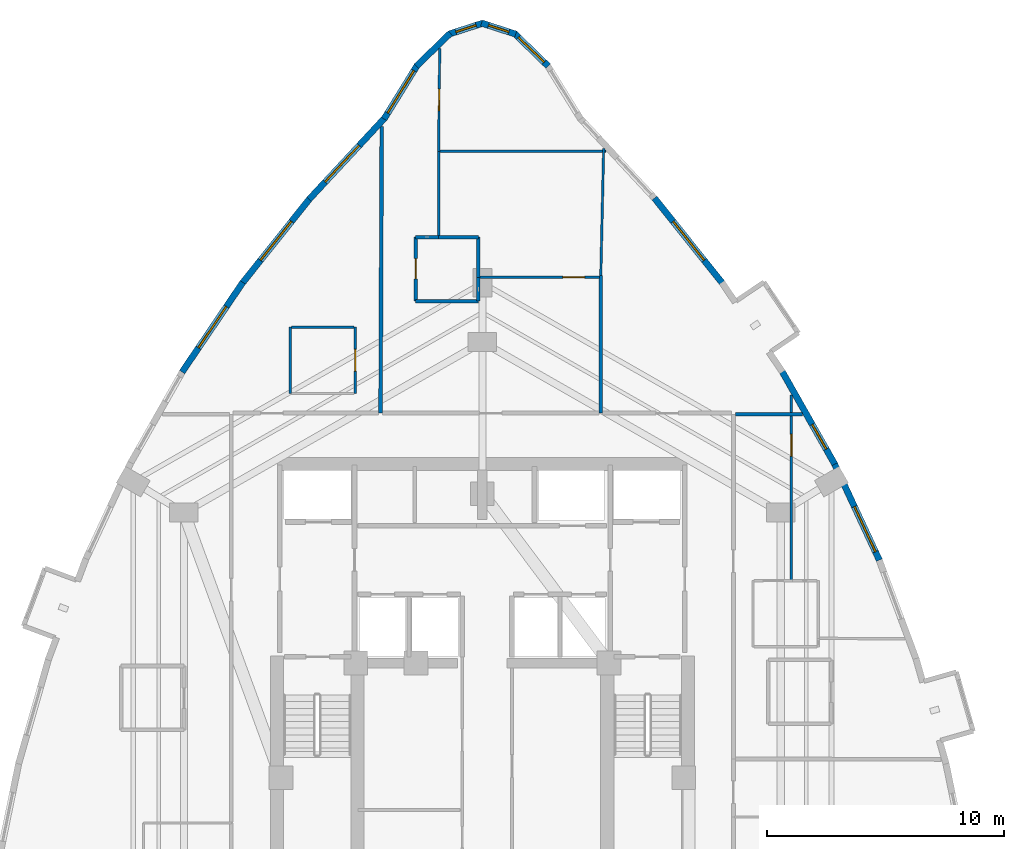
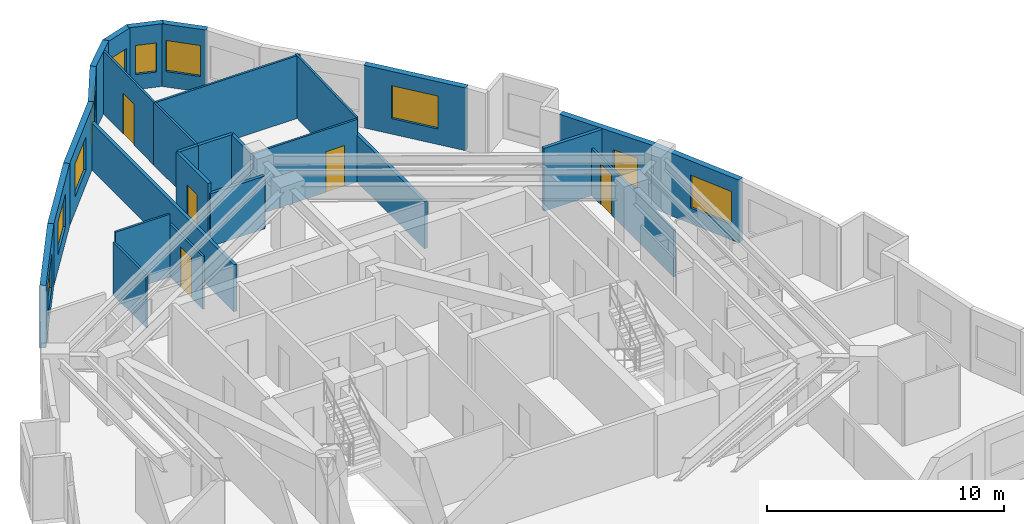
# One storey, part 8 of 10: 29 walls, 10 windows, 5 doors, 15 openings.
"""IFC4 building model written with IfcOpenShell, lengths in metres."""

from ifc_helpers import new_model, si_unit, direction, frame, frame_2d, origin, place, context, subcontext, project, spatial, rectangle, extrude, material, layer, layer_set, type_object, element, fill, save


model = new_model("IFC4")

# Units and contexts
model_context = context("Model", 3, precision=1e-05, world=origin(), true_north=direction((0.0, 1.0)))
body_context = subcontext(model_context, "Body", "Model", "MODEL_VIEW")
ifc_project = project(units=[si_unit("LENGTHUNIT", "METRE"), si_unit("AREAUNIT", "SQUARE_METRE"), si_unit("VOLUMEUNIT", "CUBIC_METRE"), si_unit("PLANEANGLEUNIT", "RADIAN"), si_unit("MASSUNIT", "GRAM", prefix="KILO")], contexts=[model_context])

# Site, building, storey
site_placement = place(None, origin())
site = spatial("IfcSite", under=ifc_project, at=site_placement, CompositionType="ELEMENT")
building_placement = place(site_placement, origin())
building = spatial("IfcBuilding", under=site, at=building_placement, Name="Miruveldt Soraemaru", CompositionType="ELEMENT")
storey_placement = place(building_placement, frame((0.0, 0.0, 121.39990234375)))
storey = spatial("IfcBuildingStorey", under=building, at=storey_placement, Name="L33", CompositionType="ELEMENT", Elevation=121.39990234375)

# Wall, opening, window
ifc_material_1 = material(Name="Precast concrete C45/55 (45 MPa)", Category="concrete")
ifc_layer_1 = layer(ifc_material_1, 0.27001953125, Name="Precast concrete C45/55 (45 MPa)", Category="concrete")
ifc_layer_set_1 = layer_set([ifc_layer_1], Name="Precast concrete C45/55 (45 MPa)")
wall_type_1 = type_object("IfcWallType", Name="WALL-EXT-PC270", PredefinedType="SOLIDWALL", material=ifc_layer_set_1)
wall_1_placement = place(storey_placement, frame((46.77978515625, 69.253173828125, 0.0), z_axis=(0.0, 0.0, 1.0), x_axis=(-0.717766525647, 0.696283860692, 0.0)))
wall_1 = element("IfcWall", 1, at=wall_1_placement, inside=storey, type_object=wall_type_1, Name="L33 Precast Concrete Facade Wall 2", PredefinedType="SOLIDWALL", context=body_context, shape_type="SweptSolid", body=[
    extrude(rectangle(XDim=1.98876953125, YDim=0.27001953125, at=frame_2d((0.994384765625, 0.0))), origin(), (0.0, 0.0, 1.0), 3.235107421875),
])
opening_1_placement = place(wall_1_placement, frame((0.243896484375, 0.0, 0.800048828125)))
opening_1 = element("IfcOpeningElement", 2, at=opening_1_placement, cuts=wall_1, Name="Opening WN-3", PredefinedType="OPENING", context=body_context, shape_type="SweptSolid", body=[
    extrude(rectangle(XDim=1.5, YDim=1.60009765625, at=frame_2d((0.75, 0.800048828125))), frame((0.0, 0.14501953125, 0.0), z_axis=(0.0, -1.0, 0.0), x_axis=(1.0, 0.0, 0.0)), (0.0, 0.0, 1.0), 0.2900390625),
])
ifc_material_2 = material(Name="Triple low-e insulated glazing", Category="glass")
window_type_1 = type_object("IfcWindowType", Name="WIN-PUNCH-1500x1600", PartitioningType="SINGLE_PANEL", PredefinedType="WINDOW", material=ifc_material_2)
window_1_placement = place(opening_1_placement, origin())
window_1 = element("IfcWindow", 3, at=window_1_placement, inside=storey, type_object=window_type_1, Name="L33 Punched Triple-Glazed Window 02.1", OverallHeight=1.60009765625, OverallWidth=1.5, PartitioningType="SINGLE_PANEL", PredefinedType="WINDOW", context=body_context, shape_type="SweptSolid", body=[
    extrude(rectangle(XDim=1.5, YDim=1.60009765625, at=frame_2d((0.75, 0.800048828125))), frame((0.0, 0.030029296875, 0.0), z_axis=(0.0, -1.0, 0.0), x_axis=(1.0, 0.0, 0.0)), (0.0, 0.0, 1.0), 0.06005859375),
])
fill(opening_1, window_1)

wall_2_placement = place(storey_placement, frame((45.41064453125, 70.602783203125, 0.0), z_axis=(0.0, 0.0, 1.0), x_axis=(-0.951508249715, 0.307623228518, 0.0)))
wall_2 = element("IfcWall", 4, at=wall_2_placement, inside=storey, type_object=wall_type_1, Name="L33 Precast Concrete Facade Wall 3", PredefinedType="SOLIDWALL", context=body_context, shape_type="SweptSolid", body=[
    extrude(rectangle(XDim=1.517333984375, YDim=0.27001953125, at=frame_2d((0.7587890625, 0.0))), origin(), (0.0, 0.0, 1.0), 3.235107421875),
])
opening_2_placement = place(wall_2_placement, frame((0.30908203125, 0.0, 0.780029296875)))
opening_2 = element("IfcOpeningElement", 5, at=opening_2_placement, cuts=wall_2, Name="Opening WN-7", PredefinedType="OPENING", context=body_context, shape_type="SweptSolid", body=[
    extrude(rectangle(XDim=0.89990234375, YDim=1.5, at=frame_2d((0.449951171875, 0.75))), frame((0.0, 0.14501953125, 0.0), z_axis=(0.0, -1.0, 0.0), x_axis=(1.0, 0.0, 0.0)), (0.0, 0.0, 1.0), 0.2900390625),
])
window_type_2 = type_object("IfcWindowType", Name="WIN-PUNCH-900x1500", PartitioningType="SINGLE_PANEL", PredefinedType="WINDOW", material=ifc_material_2)
window_2_placement = place(opening_2_placement, origin())
window_2 = element("IfcWindow", 6, at=window_2_placement, inside=storey, type_object=window_type_2, Name="L33 Punched Triple-Glazed Window 03.1", OverallHeight=1.5, OverallWidth=0.89990234375, PartitioningType="SINGLE_PANEL", PredefinedType="WINDOW", context=body_context, shape_type="SweptSolid", body=[
    extrude(rectangle(XDim=0.89990234375, YDim=1.5, at=frame_2d((0.449951171875, 0.75))), frame((0.0, 0.030029296875, 0.0), z_axis=(0.0, -1.0, 0.0), x_axis=(1.0, 0.0, 0.0)), (0.0, 0.0, 1.0), 0.06005859375),
])
fill(opening_2, window_2)

wall_3_placement = place(storey_placement, frame((44.033203125, 71.069580078125, 0.0), z_axis=(0.0, 0.0, 1.0), x_axis=(-0.951508249715, -0.307623228518, 0.0)))
wall_3 = element("IfcWall", 7, at=wall_3_placement, inside=storey, type_object=wall_type_1, Name="L33 Precast Concrete Facade Wall 4", PredefinedType="SOLIDWALL", context=body_context, shape_type="SweptSolid", body=[
    extrude(rectangle(XDim=1.517333984375, YDim=0.27001953125, at=frame_2d((0.7587890625, 0.0))), origin(), (0.0, 0.0, 1.0), 3.235107421875),
])
opening_3_placement = place(wall_3_placement, frame((0.30908203125, 0.0, 0.780029296875)))
opening_3 = element("IfcOpeningElement", 8, at=opening_3_placement, cuts=wall_3, Name="Opening WN-7", PredefinedType="OPENING", context=body_context, shape_type="SweptSolid", body=[
    extrude(rectangle(XDim=0.89990234375, YDim=1.5, at=frame_2d((0.449951171875, 0.75))), frame((0.0, 0.14501953125, 0.0), z_axis=(0.0, -1.0, 0.0), x_axis=(1.0, 0.0, 0.0)), (0.0, 0.0, 1.0), 0.2900390625),
])
window_3_placement = place(opening_3_placement, origin())
window_3 = element("IfcWindow", 9, at=window_3_placement, inside=storey, type_object=window_type_2, Name="L33 Punched Triple-Glazed Window 04.1", OverallHeight=1.5, OverallWidth=0.89990234375, PartitioningType="SINGLE_PANEL", PredefinedType="WINDOW", context=body_context, shape_type="SweptSolid", body=[
    extrude(rectangle(XDim=0.89990234375, YDim=1.5, at=frame_2d((0.449951171875, 0.75))), frame((0.0, 0.030029296875, 0.0), z_axis=(0.0, -1.0, 0.0), x_axis=(1.0, 0.0, 0.0)), (0.0, 0.0, 1.0), 0.06005859375),
])
fill(opening_3, window_3)

# Wall
wall_4_placement = place(storey_placement, frame((42.647705078125, 70.637939453125, 0.0), z_axis=(0.0, 0.0, 1.0), x_axis=(-0.717766525647, -0.696283860692, 0.0)))
element("IfcWall", 10, at=wall_4_placement, inside=storey, type_object=wall_type_1, Name="L33 Precast Concrete Facade Wall 5", PredefinedType="SOLIDWALL", context=body_context, shape_type="SweptSolid", body=[
    extrude(rectangle(XDim=1.98876953125, YDim=0.27001953125, at=frame_2d((0.994384765625, 0.0))), origin(), (0.0, 0.0, 1.0), 3.235107421875),
])

# Wall, opening, window
wall_5_placement = place(storey_placement, frame((41.263671875, 69.307373046875, 0.0), z_axis=(0.0, 0.0, 1.0), x_axis=(-0.526066967344, -0.850443146759, 0.0)))
wall_5 = element("IfcWall", 11, at=wall_5_placement, inside=storey, type_object=wall_type_1, Name="L33 Precast Concrete Facade Wall 6", PredefinedType="SOLIDWALL", context=body_context, shape_type="SweptSolid", body=[
    extrude(rectangle(XDim=2.6884765625, YDim=0.27001953125, at=frame_2d((1.34423828125, 0.0))), origin(), (0.0, 0.0, 1.0), 3.235107421875),
])
opening_4_placement = place(wall_5_placement, frame((0.2939453125, 0.0, 0.800048828125)))
opening_4 = element("IfcOpeningElement", 12, at=opening_4_placement, cuts=wall_5, Name="Opening WN-1", PredefinedType="OPENING", context=body_context, shape_type="SweptSolid", body=[
    extrude(rectangle(XDim=2.10009765625, YDim=1.699951171875, at=frame_2d((1.050048828125, 0.85009765625))), frame((0.0, 0.14501953125, 0.0), z_axis=(0.0, -1.0, 0.0), x_axis=(1.0, 0.0, 0.0)), (0.0, 0.0, 1.0), 0.2900390625),
])
window_type_3 = type_object("IfcWindowType", Name="WIN-PUNCH-2100x1700", PartitioningType="SINGLE_PANEL", PredefinedType="WINDOW", material=ifc_material_2)
window_4_placement = place(opening_4_placement, origin())
window_4 = element("IfcWindow", 13, at=window_4_placement, inside=storey, type_object=window_type_3, Name="L33 Punched Triple-Glazed Window 06.1", OverallHeight=1.699951171875, OverallWidth=2.10009765625, PartitioningType="SINGLE_PANEL", PredefinedType="WINDOW", context=body_context, shape_type="SweptSolid", body=[
    extrude(rectangle(XDim=2.10009765625, YDim=1.699951171875, at=frame_2d((1.050048828125, 0.85009765625))), frame((0.0, 0.030029296875, 0.0), z_axis=(0.0, -1.0, 0.0), x_axis=(1.0, 0.0, 0.0)), (0.0, 0.0, 1.0), 0.06005859375),
])
fill(opening_4, window_4)

wall_6_placement = place(storey_placement, frame((39.8916015625, 67.076416015625, 0.0), z_axis=(0.0, 0.0, 1.0), x_axis=(-0.680872527791, -0.732401939442, 0.0)))
wall_6 = element("IfcWall", 14, at=wall_6_placement, inside=storey, type_object=wall_type_1, Name="L33 Precast Concrete Facade Wall 7", PredefinedType="SOLIDWALL", context=body_context, shape_type="SweptSolid", body=[
    extrude(rectangle(XDim=4.70947265625, YDim=0.27001953125, at=frame_2d((2.354736328125, 0.0))), origin(), (0.0, 0.0, 1.0), 3.235107421875),
])
opening_5_placement = place(wall_6_placement, frame((1.60693359375, 0.0, 0.800048828125)))
opening_5 = element("IfcOpeningElement", 15, at=opening_5_placement, cuts=wall_6, Name="Opening WN-1", PredefinedType="OPENING", context=body_context, shape_type="SweptSolid", body=[
    extrude(rectangle(XDim=2.10009765625, YDim=1.699951171875, at=frame_2d((1.050048828125, 0.85009765625))), frame((0.0, 0.14501953125, 0.0), z_axis=(0.0, -1.0, 0.0), x_axis=(1.0, 0.0, 0.0)), (0.0, 0.0, 1.0), 0.2900390625),
])
window_5_placement = place(opening_5_placement, origin())
window_5 = element("IfcWindow", 16, at=window_5_placement, inside=storey, type_object=window_type_3, Name="L33 Punched Triple-Glazed Window 07.1", OverallHeight=1.699951171875, OverallWidth=2.10009765625, PartitioningType="SINGLE_PANEL", PredefinedType="WINDOW", context=body_context, shape_type="SweptSolid", body=[
    extrude(rectangle(XDim=2.10009765625, YDim=1.699951171875, at=frame_2d((1.050048828125, 0.85009765625))), frame((0.0, 0.030029296875, 0.0), z_axis=(0.0, -1.0, 0.0), x_axis=(1.0, 0.0, 0.0)), (0.0, 0.0, 1.0), 0.06005859375),
])
fill(opening_5, window_5)

wall_7_placement = place(storey_placement, frame((36.730712890625, 63.680419921875, 0.0), z_axis=(0.0, 0.0, 1.0), x_axis=(-0.62361968667, -0.781727885135, 0.0)))
wall_7 = element("IfcWall", 17, at=wall_7_placement, inside=storey, type_object=wall_type_1, Name="L33 Precast Concrete Facade Wall 8", PredefinedType="SOLIDWALL", context=body_context, shape_type="SweptSolid", body=[
    extrude(rectangle(XDim=4.626220703125, YDim=0.27001953125, at=frame_2d((2.31298828125, 0.0))), origin(), (0.0, 0.0, 1.0), 3.235107421875),
])
opening_6_placement = place(wall_7_placement, frame((1.262939453125, 0.0, 0.800048828125)))
opening_6 = element("IfcOpeningElement", 18, at=opening_6_placement, cuts=wall_7, Name="Opening WN-1", PredefinedType="OPENING", context=body_context, shape_type="SweptSolid", body=[
    extrude(rectangle(XDim=2.10009765625, YDim=1.699951171875, at=frame_2d((1.050048828125, 0.85009765625))), frame((0.0, 0.14501953125, 0.0), z_axis=(0.0, -1.0, 0.0), x_axis=(1.0, 0.0, 0.0)), (0.0, 0.0, 1.0), 0.2900390625),
])
window_6_placement = place(opening_6_placement, origin())
window_6 = element("IfcWindow", 19, at=window_6_placement, inside=storey, type_object=window_type_3, Name="L33 Punched Triple-Glazed Window 08.1", OverallHeight=1.699951171875, OverallWidth=2.10009765625, PartitioningType="SINGLE_PANEL", PredefinedType="WINDOW", context=body_context, shape_type="SweptSolid", body=[
    extrude(rectangle(XDim=2.10009765625, YDim=1.699951171875, at=frame_2d((1.050048828125, 0.85009765625))), frame((0.0, 0.030029296875, 0.0), z_axis=(0.0, -1.0, 0.0), x_axis=(1.0, 0.0, 0.0)), (0.0, 0.0, 1.0), 0.06005859375),
])
fill(opening_6, window_6)

wall_8_placement = place(storey_placement, frame((33.88720703125, 60.120361328125, 0.0), z_axis=(0.0, 0.0, 1.0), x_axis=(-0.560812705156, -0.827942697133, 0.0)))
wall_8 = element("IfcWall", 20, at=wall_8_placement, inside=storey, type_object=wall_type_1, Name="L33 Precast Concrete Facade Wall 9", PredefinedType="SOLIDWALL", context=body_context, shape_type="SweptSolid", body=[
    extrude(rectangle(XDim=4.569580078125, YDim=0.27001953125, at=frame_2d((2.28466796875, 0.0))), origin(), (0.0, 0.0, 1.0), 3.235107421875),
])
opening_7_placement = place(wall_8_placement, frame((1.235107421875, 0.0, 0.800048828125)))
opening_7 = element("IfcOpeningElement", 21, at=opening_7_placement, cuts=wall_8, Name="Opening WN-1", PredefinedType="OPENING", context=body_context, shape_type="SweptSolid", body=[
    extrude(rectangle(XDim=2.10009765625, YDim=1.699951171875, at=frame_2d((1.050048828125, 0.85009765625))), frame((0.0, 0.14501953125, 0.0), z_axis=(0.0, -1.0, 0.0), x_axis=(1.0, 0.0, 0.0)), (0.0, 0.0, 1.0), 0.2900390625),
])
window_7_placement = place(opening_7_placement, origin())
window_7 = element("IfcWindow", 22, at=window_7_placement, inside=storey, type_object=window_type_3, Name="L33 Punched Triple-Glazed Window 09.1", OverallHeight=1.699951171875, OverallWidth=2.10009765625, PartitioningType="SINGLE_PANEL", PredefinedType="WINDOW", context=body_context, shape_type="SweptSolid", body=[
    extrude(rectangle(XDim=2.10009765625, YDim=1.699951171875, at=frame_2d((1.050048828125, 0.85009765625))), frame((0.0, 0.030029296875, 0.0), z_axis=(0.0, -1.0, 0.0), x_axis=(1.0, 0.0, 0.0)), (0.0, 0.0, 1.0), 0.06005859375),
])
fill(opening_7, window_7)

wall_9_placement = place(storey_placement, frame((60.764892578125, 48.39208984375, 0.0), z_axis=(0.0, 0.0, 1.0), x_axis=(-0.422335038646, 0.906439802266, 0.0)))
wall_9 = element("IfcWall", 23, at=wall_9_placement, inside=storey, type_object=wall_type_1, Name="L33 Precast Concrete Facade Wall 38", PredefinedType="SOLIDWALL", context=body_context, shape_type="SweptSolid", body=[
    extrude(rectangle(XDim=4.541259765625, YDim=0.27001953125, at=frame_2d((2.2705078125, 0.0))), origin(), (0.0, 0.0, 1.0), 3.235107421875),
])
opening_8_placement = place(wall_9_placement, frame((0.39404296875, 0.0, 0.800048828125)))
opening_8 = element("IfcOpeningElement", 24, at=opening_8_placement, cuts=wall_9, Name="Opening WN-1", PredefinedType="OPENING", context=body_context, shape_type="SweptSolid", body=[
    extrude(rectangle(XDim=2.10009765625, YDim=1.699951171875, at=frame_2d((1.050048828125, 0.85009765625))), frame((0.0, 0.14501953125, 0.0), z_axis=(0.0, -1.0, 0.0), x_axis=(1.0, 0.0, 0.0)), (0.0, 0.0, 1.0), 0.2900390625),
])
window_8_placement = place(opening_8_placement, origin())
window_8 = element("IfcWindow", 25, at=window_8_placement, inside=storey, type_object=window_type_3, Name="L33 Punched Triple-Glazed Window 38.1", OverallHeight=1.699951171875, OverallWidth=2.10009765625, PartitioningType="SINGLE_PANEL", PredefinedType="WINDOW", context=body_context, shape_type="SweptSolid", body=[
    extrude(rectangle(XDim=2.10009765625, YDim=1.699951171875, at=frame_2d((1.050048828125, 0.85009765625))), frame((0.0, 0.030029296875, 0.0), z_axis=(0.0, -1.0, 0.0), x_axis=(1.0, 0.0, 0.0)), (0.0, 0.0, 1.0), 0.06005859375),
])
fill(opening_8, window_8)

wall_10_placement = place(storey_placement, frame((58.879150390625, 52.4462890625, 0.0), z_axis=(0.0, 0.0, 1.0), x_axis=(-0.49335164036, 0.869829959793, 0.0)))
wall_10 = element("IfcWall", 26, at=wall_10_placement, inside=storey, type_object=wall_type_1, Name="L33 Precast Concrete Facade Wall 39", PredefinedType="SOLIDWALL", context=body_context, shape_type="SweptSolid", body=[
    extrude(rectangle(XDim=4.541259765625, YDim=0.27001953125, at=frame_2d((2.2705078125, 0.0))), origin(), (0.0, 0.0, 1.0), 3.235107421875),
])
opening_9_placement = place(wall_10_placement, frame((0.72900390625, 0.0, 0.780029296875)))
opening_9 = element("IfcOpeningElement", 27, at=opening_9_placement, cuts=wall_10, Name="Opening WN-4", PredefinedType="OPENING", context=body_context, shape_type="SweptSolid", body=[
    extrude(rectangle(XDim=1.199951171875, YDim=1.550048828125, at=frame_2d((0.60009765625, 0.77490234375))), frame((0.0, 0.14501953125, 0.0), z_axis=(0.0, -1.0, 0.0), x_axis=(1.0, 0.0, 0.0)), (0.0, 0.0, 1.0), 0.2900390625),
])
window_type_4 = type_object("IfcWindowType", Name="WIN-PUNCH-1200x1550", PartitioningType="SINGLE_PANEL", PredefinedType="WINDOW", material=ifc_material_2)
window_9_placement = place(opening_9_placement, origin())
window_9 = element("IfcWindow", 28, at=window_9_placement, inside=storey, type_object=window_type_4, Name="L33 Punched Triple-Glazed Window 39.1", OverallHeight=1.550048828125, OverallWidth=1.199951171875, PartitioningType="SINGLE_PANEL", PredefinedType="WINDOW", context=body_context, shape_type="SweptSolid", body=[
    extrude(rectangle(XDim=1.199951171875, YDim=1.550048828125, at=frame_2d((0.60009765625, 0.77490234375))), frame((0.0, 0.030029296875, 0.0), z_axis=(0.0, -1.0, 0.0), x_axis=(1.0, 0.0, 0.0)), (0.0, 0.0, 1.0), 0.06005859375),
])
fill(opening_9, window_9)

wall_11_placement = place(storey_placement, frame((54.154296875, 60.06396484375, 0.0), z_axis=(0.0, 0.0, 1.0), x_axis=(-0.62361968667, 0.781727885135, 0.0)))
wall_11 = element("IfcWall", 29, at=wall_11_placement, inside=storey, type_object=wall_type_1, Name="L33 Precast Concrete Facade Wall 41", PredefinedType="SOLIDWALL", context=body_context, shape_type="SweptSolid", body=[
    extrude(rectangle(XDim=4.626220703125, YDim=0.27001953125, at=frame_2d((2.31298828125, 0.0))), origin(), (0.0, 0.0, 1.0), 3.235107421875),
])
opening_10_placement = place(wall_11_placement, frame((1.262939453125, 0.0, 0.800048828125)))
opening_10 = element("IfcOpeningElement", 30, at=opening_10_placement, cuts=wall_11, Name="Opening WN-1", PredefinedType="OPENING", context=body_context, shape_type="SweptSolid", body=[
    extrude(rectangle(XDim=2.10009765625, YDim=1.699951171875, at=frame_2d((1.050048828125, 0.85009765625))), frame((0.0, 0.14501953125, 0.0), z_axis=(0.0, -1.0, 0.0), x_axis=(1.0, 0.0, 0.0)), (0.0, 0.0, 1.0), 0.2900390625),
])
window_10_placement = place(opening_10_placement, origin())
window_10 = element("IfcWindow", 31, at=window_10_placement, inside=storey, type_object=window_type_3, Name="L33 Punched Triple-Glazed Window 41.1", OverallHeight=1.699951171875, OverallWidth=2.10009765625, PartitioningType="SINGLE_PANEL", PredefinedType="WINDOW", context=body_context, shape_type="SweptSolid", body=[
    extrude(rectangle(XDim=2.10009765625, YDim=1.699951171875, at=frame_2d((1.050048828125, 0.85009765625))), frame((0.0, 0.030029296875, 0.0), z_axis=(0.0, -1.0, 0.0), x_axis=(1.0, 0.0, 0.0)), (0.0, 0.0, 1.0), 0.06005859375),
])
fill(opening_10, window_10)

# Wall, opening, door
ifc_material_3 = material(Name="Gypsum plasterboard lining", Category="gypsum")
ifc_layer_2 = layer(ifc_material_3, 0.10009765625, Name="Gypsum plasterboard lining", Category="gypsum")
ifc_layer_set_2 = layer_set([ifc_layer_2], Name="Gypsum plasterboard lining")
wall_type_2 = type_object("IfcWallType", Name="WALL-INT-P100", PredefinedType="PARTITIONING", material=ifc_layer_set_2)
wall_12_placement = place(storey_placement, frame((57.050048828125, 47.530029296875, 0.0), z_axis=(0.0, 0.0, 1.0), x_axis=(0.0, 1.0, 0.0)))
wall_12 = element("IfcWall", 32, at=wall_12_placement, inside=storey, type_object=wall_type_2, Name="L33 Partition Wall 48", PredefinedType="PARTITIONING", context=body_context, shape_type="SweptSolid", body=[
    extrude(rectangle(XDim=7.8369140625, YDim=0.10009765625, at=frame_2d((3.91845703125, 0.0))), origin(), (0.0, 0.0, 1.0), 2.423095703125),
])
opening_11_placement = place(wall_12_placement, frame((5.258056640625, 0.0, 0.0)))
opening_11 = element("IfcOpeningElement", 33, at=opening_11_placement, cuts=wall_12, Name="Opening D3A", PredefinedType="OPENING", context=body_context, shape_type="SweptSolid", body=[
    extrude(rectangle(XDim=0.919921875, YDim=2.10009765625, at=frame_2d((0.4599609375, 1.050048828125))), frame((0.0, 0.06005859375, 0.0), z_axis=(0.0, -1.0, 0.0), x_axis=(1.0, 0.0, 0.0)), (0.0, 0.0, 1.0), 0.1201171875),
])
ifc_material_4 = material(Name="Anodised aluminium EN AW-6063 T6", Category="aluminium")
door_type_1 = type_object("IfcDoorType", Name="DOOR-INT-920", OperationType="NOTDEFINED", PredefinedType="DOOR", material=ifc_material_4)
door_1_placement = place(opening_11_placement, origin())
door_1 = element("IfcDoor", 34, at=door_1_placement, inside=storey, type_object=door_type_1, Name="L33 Unit 3306 BD1 Door", OperationType="SINGLE_SWING_LEFT", OverallHeight=2.10009765625, OverallWidth=0.919921875, PredefinedType="DOOR", context=body_context, shape_type="SweptSolid", body=[
    extrude(rectangle(XDim=0.919921875, YDim=2.10009765625, at=frame_2d((0.4599609375, 1.050048828125))), frame((0.0, 0.02490234375, 0.0), z_axis=(0.0, -1.0, 0.0), x_axis=(1.0, 0.0, 0.0)), (0.0, 0.0, 1.0), 0.050048828125),
])
fill(opening_11, door_1)

wall_13_placement = place(storey_placement, frame((48.949951171875, 60.3310546875, 0.0), z_axis=(0.0, 0.0, 1.0), x_axis=(-1.0, 0.0, 0.0)))
wall_13 = element("IfcWall", 35, at=wall_13_placement, inside=storey, type_object=wall_type_2, Name="L33 Partition Wall 22", PredefinedType="PARTITIONING", context=body_context, shape_type="SweptSolid", body=[
    extrude(rectangle(XDim=5.06689453125, YDim=0.10009765625, at=frame_2d((2.533447265625, 0.0))), origin(), (0.0, 0.0, 1.0), 3.235107421875),
])
opening_12_placement = place(wall_13_placement, frame((0.634033203125, 0.0, 0.0)))
opening_12 = element("IfcOpeningElement", 36, at=opening_12_placement, cuts=wall_13, Name="Opening D3A", PredefinedType="OPENING", context=body_context, shape_type="SweptSolid", body=[
    extrude(rectangle(XDim=0.919921875, YDim=2.10009765625, at=frame_2d((0.4599609375, 1.050048828125))), frame((0.0, 0.06005859375, 0.0), z_axis=(0.0, -1.0, 0.0), x_axis=(1.0, 0.0, 0.0)), (0.0, 0.0, 1.0), 0.1201171875),
])
door_2_placement = place(opening_12_placement, origin())
door_2 = element("IfcDoor", 37, at=door_2_placement, inside=storey, type_object=door_type_1, Name="L33 Unit 3302 BD1 Door", OperationType="SINGLE_SWING_RIGHT", OverallHeight=2.10009765625, OverallWidth=0.919921875, PredefinedType="DOOR", context=body_context, shape_type="SweptSolid", body=[
    extrude(rectangle(XDim=0.919921875, YDim=2.10009765625, at=frame_2d((0.4599609375, 1.050048828125))), frame((0.0, 0.02490234375, 0.0), z_axis=(0.0, -1.0, 0.0), x_axis=(1.0, 0.0, 0.0)), (0.0, 0.0, 1.0), 0.050048828125),
])
fill(opening_12, door_2)

wall_14_placement = place(storey_placement, frame((42.153076171875, 65.653076171875, 0.0), z_axis=(0.0, 0.0, 1.0), x_axis=(0.011239665407, 0.999936832966, 0.0)))
wall_14 = element("IfcWall", 38, at=wall_14_placement, inside=storey, type_object=wall_type_2, Name="L33 Partition Wall 24", PredefinedType="PARTITIONING", context=body_context, shape_type="SweptSolid", body=[
    extrude(rectangle(XDim=4.34423828125, YDim=0.10009765625, at=frame_2d((2.172119140625, 0.0))), origin(), (0.0, 0.0, 1.0), 3.235107421875),
])
opening_13_placement = place(wall_14_placement, frame((1.7119140625, 0.0, 0.0)))
opening_13 = element("IfcOpeningElement", 39, at=opening_13_placement, cuts=wall_14, Name="Opening D3A", PredefinedType="OPENING", context=body_context, shape_type="SweptSolid", body=[
    extrude(rectangle(XDim=0.919921875, YDim=2.10009765625, at=frame_2d((0.4599609375, 1.050048828125))), frame((0.0, 0.06005859375, 0.0), z_axis=(0.0, -1.0, 0.0), x_axis=(1.0, 0.0, 0.0)), (0.0, 0.0, 1.0), 0.1201171875),
])
door_3_placement = place(opening_13_placement, origin())
door_3 = element("IfcDoor", 40, at=door_3_placement, inside=storey, type_object=door_type_1, Name="L33 Unit 3302 BD2 Door", OperationType="SINGLE_SWING_LEFT", OverallHeight=2.10009765625, OverallWidth=0.919921875, PredefinedType="DOOR", context=body_context, shape_type="SweptSolid", body=[
    extrude(rectangle(XDim=0.919921875, YDim=2.10009765625, at=frame_2d((0.4599609375, 1.050048828125))), frame((0.0, 0.02490234375, 0.0), z_axis=(0.0, -1.0, 0.0), x_axis=(1.0, 0.0, 0.0)), (0.0, 0.0, 1.0), 0.050048828125),
])
fill(opening_13, door_3)

wall_15_placement = place(storey_placement, frame((38.636962890625, 55.429931640625, 0.0), z_axis=(0.0, 0.0, 1.0), x_axis=(0.0, 1.0, 0.0)))
wall_15 = element("IfcWall", 41, at=wall_15_placement, inside=storey, type_object=wall_type_2, Name="L33 Partition Wall 12", PredefinedType="PARTITIONING", context=body_context, shape_type="SweptSolid", body=[
    extrude(rectangle(XDim=2.800048828125, YDim=0.10009765625, at=frame_2d((1.39990234375, 0.0))), origin(), (0.0, 0.0, 1.0), 2.72314453125),
])
opening_14_placement = place(wall_15_placement, frame((0.93994140625, 0.0, 0.0)))
opening_14 = element("IfcOpeningElement", 42, at=opening_14_placement, cuts=wall_15, Name="Opening D3A", PredefinedType="OPENING", context=body_context, shape_type="SweptSolid", body=[
    extrude(rectangle(XDim=0.919921875, YDim=2.10009765625, at=frame_2d((0.4599609375, 1.050048828125))), frame((0.0, 0.06005859375, 0.0), z_axis=(0.0, -1.0, 0.0), x_axis=(1.0, 0.0, 0.0)), (0.0, 0.0, 1.0), 0.1201171875),
])
door_4_placement = place(opening_14_placement, origin())
door_4 = element("IfcDoor", 43, at=door_4_placement, inside=storey, type_object=door_type_1, Name="L33 Unit CL01 KIT Door", OperationType="SINGLE_SWING_LEFT", OverallHeight=2.10009765625, OverallWidth=0.919921875, PredefinedType="DOOR", context=body_context, shape_type="SweptSolid", body=[
    extrude(rectangle(XDim=0.919921875, YDim=2.10009765625, at=frame_2d((0.4599609375, 1.050048828125))), frame((0.0, 0.02490234375, 0.0), z_axis=(0.0, -1.0, 0.0), x_axis=(1.0, 0.0, 0.0)), (0.0, 0.0, 1.0), 0.050048828125),
])
fill(opening_14, door_4)

# Walls
wall_16_placement = place(storey_placement, frame((49.22705078125, 65.653076171875, 0.0), z_axis=(0.0, 0.0, 1.0), x_axis=(-1.0, 0.0, 0.0)))
element("IfcWall", 44, at=wall_16_placement, inside=storey, type_object=wall_type_2, Name="L33 Partition Wall 28", PredefinedType="PARTITIONING", context=body_context, shape_type="SweptSolid", body=[
    extrude(rectangle(XDim=7.024169921875, YDim=0.10009765625, at=frame_2d((3.51220703125, 0.0))), origin(), (0.0, 0.0, 1.0), 3.235107421875),
])
wall_17_placement = place(storey_placement, frame((49.1220703125, 65.76611328125, 0.0), z_axis=(0.0, 0.0, 1.0), x_axis=(-0.022466238252, -0.999747602217, 0.0)))
element("IfcWall", 45, at=wall_17_placement, inside=storey, type_object=wall_type_2, Name="L33 Partition Wall 58", PredefinedType="PARTITIONING", context=body_context, shape_type="SweptSolid", body=[
    extrude(rectangle(XDim=5.3466796875, YDim=0.10009765625, at=frame_2d((2.67333984375, 0.0))), origin(), (0.0, 0.0, 1.0), 3.235107421875),
])
wall_18_placement = place(storey_placement, frame((42.153076171875, 62.030029296875, 0.0), z_axis=(0.0, 0.0, 1.0), x_axis=(0.0, 1.0, 0.0)))
element("IfcWall", 46, at=wall_18_placement, inside=storey, type_object=wall_type_2, Name="L33 Partition Wall 23", PredefinedType="PARTITIONING", context=body_context, shape_type="SweptSolid", body=[
    extrude(rectangle(XDim=3.623046875, YDim=0.10009765625, at=frame_2d((1.8115234375, 0.0))), origin(), (0.0, 0.0, 1.0), 3.235107421875),
])
wall_19_placement = place(storey_placement, frame((35.886962890625, 58.22998046875, 0.0), z_axis=(0.0, 0.0, 1.0), x_axis=(0.0, -1.0, 0.0)))
element("IfcWall", 47, at=wall_19_placement, inside=storey, type_object=wall_type_2, Name="L33 Partition Wall 14", PredefinedType="PARTITIONING", context=body_context, shape_type="SweptSolid", body=[
    extrude(rectangle(XDim=2.800048828125, YDim=0.10009765625, at=frame_2d((1.39990234375, 0.0))), origin(), (0.0, 0.0, 1.0), 2.72314453125),
])
wall_20_placement = place(storey_placement, frame((38.5869140625, 58.22998046875, 0.0), z_axis=(0.0, 0.0, 1.0), x_axis=(-1.0, 0.0, 0.0)))
element("IfcWall", 48, at=wall_20_placement, inside=storey, type_object=wall_type_2, Name="L33 Partition Wall 13", PredefinedType="PARTITIONING", context=body_context, shape_type="SweptSolid", body=[
    extrude(rectangle(XDim=2.64990234375, YDim=0.10009765625, at=frame_2d((1.324951171875, 0.0))), origin(), (0.0, 0.0, 1.0), 3.235107421875),
])

# Wall, opening, door
ifc_layer_3 = layer(ifc_material_3, 0.14990234375, Name="Gypsum plasterboard lining", Category="gypsum")
ifc_layer_set_3 = layer_set([ifc_layer_3], Name="Gypsum plasterboard lining")
wall_type_3 = type_object("IfcWallType", Name="WALL-INT-PLUMB", PredefinedType="PLUMBINGWALL", material=ifc_layer_set_3)
wall_21_placement = place(storey_placement, frame((41.18310546875, 62.030029296875, 0.0), z_axis=(0.0, 0.0, 1.0), x_axis=(0.0, -1.0, 0.0)))
wall_21 = element("IfcWall", 49, at=wall_21_placement, inside=storey, type_object=wall_type_3, Name="L33 Partition Wall 20", PredefinedType="PLUMBINGWALL", context=body_context, shape_type="SweptSolid", body=[
    extrude(rectangle(XDim=2.699951171875, YDim=0.14990234375, at=frame_2d((1.35009765625, 0.0))), origin(), (0.0, 0.0, 1.0), 3.235107421875),
])
opening_15_placement = place(wall_21_placement, frame((0.909912109375, 0.0, 0.0)))
opening_15 = element("IfcOpeningElement", 50, at=opening_15_placement, cuts=wall_21, Name="Opening FD3", PredefinedType="OPENING", context=body_context, shape_type="SweptSolid", body=[
    extrude(rectangle(XDim=0.85009765625, YDim=2.10009765625, at=frame_2d((0.425048828125, 1.050048828125))), frame((0.0, 0.0849609375, 0.0), z_axis=(0.0, -1.0, 0.0), x_axis=(1.0, 0.0, 0.0)), (0.0, 0.0, 1.0), 0.169921875),
])
door_type_2 = type_object("IfcDoorType", Name="DOOR-FD3-850", OperationType="NOTDEFINED", PredefinedType="DOOR", material=ifc_material_4)
door_5_placement = place(opening_15_placement, origin())
door_5 = element("IfcDoor", 51, at=door_5_placement, inside=storey, type_object=door_type_2, Name="L33 Unit 3302 BTH Door", OperationType="SINGLE_SWING_LEFT", OverallHeight=2.10009765625, OverallWidth=0.85009765625, PredefinedType="DOOR", context=body_context, shape_type="SweptSolid", body=[
    extrude(rectangle(XDim=0.85009765625, YDim=2.10009765625, at=frame_2d((0.425048828125, 1.050048828125))), frame((0.0, 0.02490234375, 0.0), z_axis=(0.0, -1.0, 0.0), x_axis=(1.0, 0.0, 0.0)), (0.0, 0.0, 1.0), 0.050048828125),
])
fill(opening_15, door_5)

# Walls
wall_22_placement = place(storey_placement, frame((41.18310546875, 59.330078125, 0.0), z_axis=(0.0, 0.0, 1.0), x_axis=(1.0, 0.0, 0.0)))
element("IfcWall", 52, at=wall_22_placement, inside=storey, type_object=wall_type_3, Name="L33 Partition Wall 21", PredefinedType="PLUMBINGWALL", context=body_context, shape_type="SweptSolid", body=[
    extrude(rectangle(XDim=2.64990234375, YDim=0.14990234375, at=frame_2d((1.324951171875, 0.0))), origin(), (0.0, 0.0, 1.0), 2.72314453125),
])
wall_23_placement = place(storey_placement, frame((43.8330078125, 60.3310546875, 0.0), z_axis=(0.0, 0.0, 1.0), x_axis=(0.0, 1.0, 0.0)))
element("IfcWall", 53, at=wall_23_placement, inside=storey, type_object=wall_type_3, Name="L33 Partition Wall 26", PredefinedType="PLUMBINGWALL", context=body_context, shape_type="SweptSolid", body=[
    extrude(rectangle(XDim=1.698974609375, YDim=0.14990234375, at=frame_2d((0.849609375, 0.0))), origin(), (0.0, 0.0, 1.0), 3.235107421875),
])
wall_24_placement = place(storey_placement, frame((43.8330078125, 62.030029296875, 0.0), z_axis=(0.0, 0.0, 1.0), x_axis=(-1.0, 0.0, 0.0)))
element("IfcWall", 54, at=wall_24_placement, inside=storey, type_object=wall_type_3, Name="L33 Partition Wall 27", PredefinedType="PLUMBINGWALL", context=body_context, shape_type="SweptSolid", body=[
    extrude(rectangle(XDim=1.679931640625, YDim=0.14990234375, at=frame_2d((0.83984375, 0.0))), origin(), (0.0, 0.0, 1.0), 3.235107421875),
])
wall_25_placement = place(storey_placement, frame((43.8330078125, 59.330078125, 0.0), z_axis=(0.0, 0.0, 1.0), x_axis=(0.0, 1.0, 0.0)))
element("IfcWall", 55, at=wall_25_placement, inside=storey, type_object=wall_type_3, Name="L33 Partition Wall 18", PredefinedType="PLUMBINGWALL", context=body_context, shape_type="SweptSolid", body=[
    extrude(rectangle(XDim=1.0009765625, YDim=0.14990234375, at=frame_2d((0.50048828125, 0.0))), origin(), (0.0, 0.0, 1.0), 2.423095703125),
])
wall_26_placement = place(storey_placement, frame((42.153076171875, 62.030029296875, 0.0), z_axis=(0.0, 0.0, 1.0), x_axis=(-1.0, 0.0, 0.0)))
element("IfcWall", 56, at=wall_26_placement, inside=storey, type_object=wall_type_3, Name="L33 Partition Wall 19", PredefinedType="PLUMBINGWALL", context=body_context, shape_type="SweptSolid", body=[
    extrude(rectangle(XDim=0.969970703125, YDim=0.14990234375, at=frame_2d((0.48486328125, 0.0))), origin(), (0.0, 0.0, 1.0), 3.235107421875),
])
ifc_material_5 = material(Name="Concrete C40/50 (40 MPa)", Category="concrete")
ifc_layer_4 = layer(ifc_material_5, 0.159912109375, Name="Concrete C40/50 (40 MPa)", Category="concrete")
ifc_layer_set_4 = layer_set([ifc_layer_4], Name="Concrete C40/50 (40 MPa)")
wall_type_4 = type_object("IfcWallType", Name="WALL-INT-RC160", PredefinedType="SOLIDWALL", material=ifc_layer_set_4)
wall_27_placement = place(storey_placement, frame((39.702880859375, 54.60302734375, 0.0), z_axis=(0.0, 0.0, 1.0), x_axis=(0.004134863196, 0.999991451417, 0.0)))
element("IfcWall", 57, at=wall_27_placement, inside=storey, type_object=wall_type_4, Name="L33 Partition Wall 16", PredefinedType="SOLIDWALL", context=body_context, shape_type="SweptSolid", body=[
    extrude(rectangle(XDim=12.10400390625, YDim=0.159912109375, at=frame_2d((6.052001953125, 0.0))), origin(), (0.0, 0.0, 1.0), 2.423095703125),
])
wall_28_placement = place(storey_placement, frame((49.0, 54.60009765625, 0.0), z_axis=(0.0, 0.0, 1.0), x_axis=(0.0, 1.0, 0.0)))
element("IfcWall", 58, at=wall_28_placement, inside=storey, type_object=wall_type_4, Name="L33 Partition Wall 25", PredefinedType="SOLIDWALL", context=body_context, shape_type="SweptSolid", body=[
    extrude(rectangle(XDim=5.82080078125, YDim=0.159912109375, at=frame_2d((2.910400390625, 0.0))), origin(), (0.0, 0.0, 1.0), 2.423095703125),
])
wall_29_placement = place(storey_placement, frame((54.68310546875, 54.550048828125, 0.0), z_axis=(0.0, 0.0, 1.0), x_axis=(1.0, 0.0, 0.0)))
element("IfcWall", 59, at=wall_29_placement, inside=storey, type_object=wall_type_4, Name="L33 Partition Wall 29", PredefinedType="SOLIDWALL", context=body_context, shape_type="SweptSolid", body=[
    extrude(rectangle(XDim=2.829833984375, YDim=0.159912109375, at=frame_2d((1.4150390625, 0.0))), origin(), (0.0, 0.0, 1.0), 3.235107421875),
])

save(model, "model.ifc")
